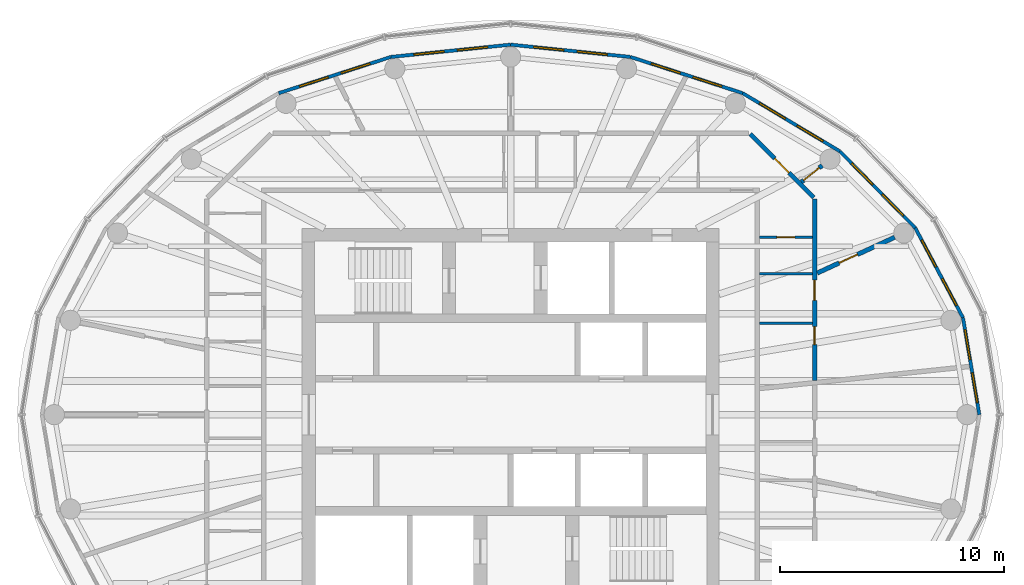
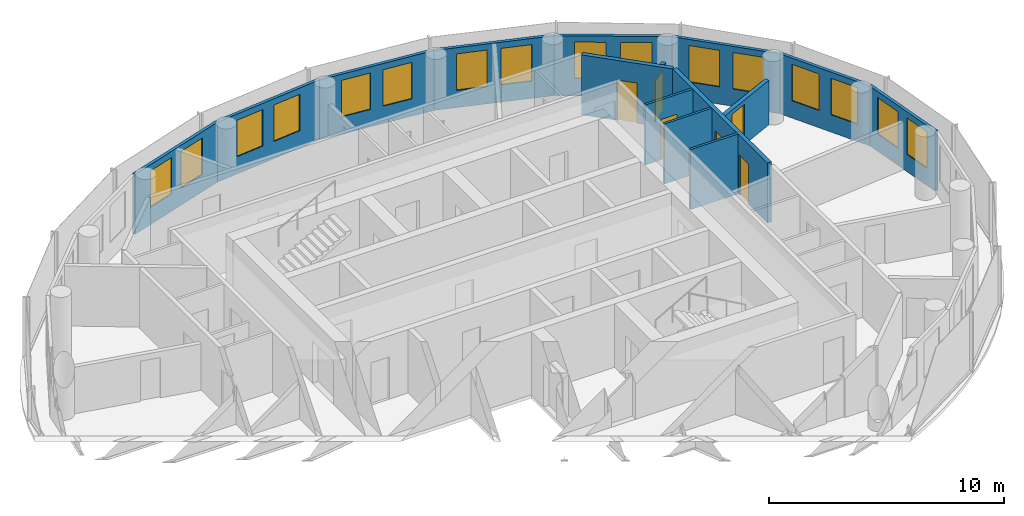
# One storey, part 9 of 11: 16 windows, 15 walls, 6 doors, 22 openings.
"""IFC4 building model written with IfcOpenShell, lengths in metres."""

import ifcopenshell
import ifcopenshell.guid

model = None  # the IFC model being written
_history = None  # IfcOwnerHistory: only IFC2X3 demands one
_inside = {}  # id of a spatial element -> (the spatial element, [elements in it])
_under = {}  # id of a project, library or spatial element -> (it, [spatial elements below it])
_declared = {}  # id of a project -> (the project, [libraries it declares])
_typed = {}  # id of a type object -> (the type object, [elements of that type])
_made_of = {}  # id of a material, layer set ... -> (it, [elements and type objects made of it])


def new_model(schema):
    """Start an empty IFC model of exactly this schema.

    Asked for "IFC4X3", IfcOpenShell would pick the latest addendum, in which some entities
    have other attributes; the version numbers below select the first issue.
    IFC2X3 requires an IfcOwnerHistory on every rooted entity: one is made here for all.
    """
    global model, _history
    if schema == "IFC4X3":
        model = ifcopenshell.file(schema_version=(4, 3, 0, 0))
    else:
        model = ifcopenshell.file(schema=schema)
    _inside.clear()
    _under.clear()
    _declared.clear()
    _typed.clear()
    _made_of.clear()
    _history = None
    if model.schema == "IFC2X3":
        org = make("IfcOrganization", Name="unknown")
        user = make(
            "IfcPersonAndOrganization",
            ThePerson=make("IfcPerson", FamilyName="unknown"),
            TheOrganization=org,
        )
        app = make(
            "IfcApplication",
            ApplicationDeveloper=org,
            Version="unknown",
            ApplicationFullName="unknown",
            ApplicationIdentifier="unknown",
        )
        _history = make(
            "IfcOwnerHistory",
            OwningUser=user,
            OwningApplication=app,
            ChangeAction="ADDED",
            CreationDate=0,
        )
    return model


def make(cls, **values):
    """One entity of the class cls with the attributes given. An attribute that is None is left unset."""
    return model.create_entity(
        cls, **{name: value for name, value in values.items() if value is not None}
    )


def rooted(cls, **values):
    """An entity with a GlobalId (a new one), such as an element, a storey or a relation."""
    return make(cls, GlobalId=ifcopenshell.guid.new(), OwnerHistory=_history, **values)


def si_unit(unit_type, name, prefix=None):
    """IfcSIUnit, for example si_unit("LENGTHUNIT", "METRE", prefix="MILLI")."""
    return make("IfcSIUnit", UnitType=unit_type, Prefix=prefix, Name=name)


def assignment(units):
    """IfcUnitAssignment: the units of a project."""
    return None if units is None else make("IfcUnitAssignment", Units=units)


def point(xyz):
    """IfcCartesianPoint."""
    return None if xyz is None else make("IfcCartesianPoint", Coordinates=xyz)


def direction(xyz):
    """IfcDirection."""
    return None if xyz is None else make("IfcDirection", DirectionRatios=xyz)


def frame(location, z_axis=None, x_axis=None):
    """IfcAxis2Placement3D, a coordinate frame: its origin and axes. An axis left out is left unset."""
    return make(
        "IfcAxis2Placement3D",
        Location=point(location),
        Axis=direction(z_axis),
        RefDirection=direction(x_axis),
    )


def frame_2d(location, x_axis=None):
    """IfcAxis2Placement2D, a coordinate frame in the plane: its origin and x axis."""
    return make(
        "IfcAxis2Placement2D", Location=point(location), RefDirection=direction(x_axis)
    )


def origin():
    """The frame at (0, 0, 0) with its axes left unset."""
    return frame((0.0, 0.0, 0.0))


def place(relative_to, where):
    """IfcLocalPlacement: puts the frame where relative to a parent placement (None: the world)."""
    return make(
        "IfcLocalPlacement", PlacementRelTo=relative_to, RelativePlacement=where
    )


def context(
    kind, dimensions, precision=None, world=None, true_north=None, identifier=None
):
    """IfcGeometricRepresentationContext, for example the 3D "Model" context."""
    return make(
        "IfcGeometricRepresentationContext",
        ContextIdentifier=identifier,
        ContextType=kind,
        CoordinateSpaceDimension=dimensions,
        Precision=precision,
        WorldCoordinateSystem=world,
        TrueNorth=true_north,
    )


def subcontext(parent, identifier, kind, view, scale=None):
    """IfcGeometricRepresentationSubContext, for example "Body" below "Model"."""
    return make(
        "IfcGeometricRepresentationSubContext",
        ContextIdentifier=identifier,
        ContextType=kind,
        ParentContext=parent,
        TargetScale=scale,
        TargetView=view,
    )


def project(units=None, contexts=None):
    """IfcProject with its units and contexts."""
    return rooted(
        "IfcProject",
        Name="project",
        RepresentationContexts=contexts,
        UnitsInContext=assignment(units),
    )


def spatial(cls, under=None, at=None, **own):
    """A site, building, storey or space (cls), placed at a placement, below another one or the project."""
    s = rooted(cls, ObjectPlacement=at, **own)
    if under is not None:
        _under.setdefault(under.id(), (under, []))[1].append(s)
    return s


def profile(cls, at=None, kind="AREA", **sizes):
    """A parametric profile (cls). Its sizes go by their IFC names, for example OverallWidth=200.0."""
    return make(cls, ProfileType=kind, Position=at, **sizes)


def rectangle(**sizes):
    """IfcRectangleProfileDef."""
    return profile("IfcRectangleProfileDef", **sizes)


def extrude(swept, where, along, depth):
    """IfcExtrudedAreaSolid: the profile swept, set in the frame where, extruded along a direction by depth."""
    return make(
        "IfcExtrudedAreaSolid",
        SweptArea=swept,
        Position=where,
        ExtrudedDirection=direction(along),
        Depth=depth,
    )


def shape(context_of_items, identifier, shape_type, items):
    """IfcShapeRepresentation: the items that make up one representation, for example the "Body"."""
    return make(
        "IfcShapeRepresentation",
        ContextOfItems=context_of_items,
        RepresentationIdentifier=identifier,
        RepresentationType=shape_type,
        Items=items,
    )


def material(Name=None, Category=None):
    """IfcMaterial."""
    return make("IfcMaterial", Name=Name, Category=Category)


def layer(
    of_material, thickness, ventilated=None, Name=None, Category=None, Priority=None
):
    """IfcMaterialLayer: one layer of a wall or slab, of a material (None: an air gap)."""
    return make(
        "IfcMaterialLayer",
        Material=of_material,
        LayerThickness=thickness,
        IsVentilated=ventilated,
        Name=Name,
        Category=Category,
        Priority=Priority,
    )


def layer_set(layers, Name=None):
    """IfcMaterialLayerSet."""
    return make("IfcMaterialLayerSet", MaterialLayers=layers, LayerSetName=Name)


def made_of(thing, what):
    """Note that an element or type object is made of a material, layer set ...; save() writes the relation."""
    if what is not None:
        _made_of.setdefault(what.id(), (what, []))[1].append(thing)
    return thing


def type_object(cls, material=None, **own):
    """A type object (cls), such as IfcWallType, which elements share."""
    return made_of(rooted(cls, **own), material)


def element(
    cls,
    number,
    at=None,
    inside=None,
    cuts=None,
    type_object=None,
    material=None,
    context=None,
    identifier="Body",
    shape_type=None,
    held_by="IfcProductDefinitionShape",
    body=None,
    shapes=None,
    **own,
):
    """One element of the class cls, such as IfcWall. Its Tag is "e" and its number.

    at: its placement. inside: the storey or other place that contains it. cuts: it is an
    opening in that element (IfcRelVoidsElement). A single representation is given by context,
    identifier, shape_type and body (its items); several are given by shapes. held_by: the class
    of the entity that holds the representations. save() writes the other relations.
    """
    e = rooted(cls, Tag="e%d" % number, ObjectPlacement=at, **own)
    if body is not None:
        shapes = [shape(context, identifier, shape_type, body)]
    if shapes is not None:
        e.Representation = make(held_by, Representations=shapes)
    if inside is not None:
        _inside.setdefault(inside.id(), (inside, []))[1].append(e)
    if cuts is not None:
        rooted(
            "IfcRelVoidsElement", RelatingBuildingElement=cuts, RelatedOpeningElement=e
        )
    if type_object is not None:
        _typed.setdefault(type_object.id(), (type_object, []))[1].append(e)
    return made_of(e, material)


def fill(opening, filler):
    """IfcRelFillsElement: the door or window that sits in an opening."""
    return rooted(
        "IfcRelFillsElement",
        RelatingOpeningElement=opening,
        RelatedBuildingElement=filler,
    )


def aggregate(whole, parts):
    """IfcRelAggregates: a whole, such as a stair, and the parts it consists of."""
    return rooted("IfcRelAggregates", RelatingObject=whole, RelatedObjects=parts)


def save(model, path):
    """Write the relations noted so far, then the file.

    IfcRelAggregates (storeys below a building ...), IfcRelContainedInSpatialStructure (elements
    in a storey), IfcRelDefinesByType, IfcRelAssociatesMaterial and IfcRelDeclares: one each for
    every whole, place, type object, material and project.
    """
    for whole, parts in _under.values():
        aggregate(whole, parts)
    for where, things in _inside.values():
        rooted(
            "IfcRelContainedInSpatialStructure",
            RelatedElements=things,
            RelatingStructure=where,
        )
    for kind, things in _typed.values():
        rooted("IfcRelDefinesByType", RelatedObjects=things, RelatingType=kind)
    for what, things in _made_of.values():
        rooted("IfcRelAssociatesMaterial", RelatedObjects=things, RelatingMaterial=what)
    for by, libraries in _declared.values():
        rooted("IfcRelDeclares", RelatingContext=by, RelatedDefinitions=libraries)
    model.write(path)


model = new_model("IFC4")

# Units and contexts
model_context = context("Model", 3, precision=1e-05, world=origin(), true_north=direction((0.0, 1.0)))
body_context = subcontext(model_context, "Body", "Model", "MODEL_VIEW")
ifc_project = project(units=[si_unit("LENGTHUNIT", "METRE"), si_unit("AREAUNIT", "SQUARE_METRE"), si_unit("VOLUMEUNIT", "CUBIC_METRE"), si_unit("PLANEANGLEUNIT", "RADIAN"), si_unit("MASSUNIT", "GRAM", prefix="KILO")], contexts=[model_context])

# Site, building, storey
site_placement = place(None, origin())
site = spatial("IfcSite", under=ifc_project, at=site_placement, CompositionType="ELEMENT")
building_placement = place(site_placement, origin())
building = spatial("IfcBuilding", under=site, at=building_placement, Name="Hankou Lantern Tower", CompositionType="ELEMENT")
storey_placement = place(building_placement, frame((0.0, 0.0, 212.699951171875)))
storey = spatial("IfcBuildingStorey", under=building, at=storey_placement, Name="L57", CompositionType="ELEMENT", Elevation=212.699951171875)

# Wall, openings, windows
ifc_material_1 = material(Name="Aluminium spandrel panel on steel studs", Category="steel")
ifc_layer_1 = layer(ifc_material_1, 0.14990234375)
ifc_layer_set_1 = layer_set([ifc_layer_1], Name="Aluminium spandrel panel on steel studs")
wall_type_1 = type_object("IfcWallType", Name="EW1 INNER SKIN WALL 150", PredefinedType="ELEMENTEDWALL", material=ifc_layer_set_1)
wall_1_placement = place(storey_placement, frame((20.89990234375, 0.0, 0.0), z_axis=(0.0, 0.0, 1.0), x_axis=(-0.166538513568, 0.986034950445, 0.0)))
wall_1 = element("IfcWall", 1, at=wall_1_placement, inside=storey, type_object=wall_type_1, Name="Inner skin R01-R02 L57", PredefinedType="ELEMENTEDWALL", context=body_context, shape_type="SweptSolid", body=[
    extrude(rectangle(XDim=4.384765625, YDim=0.14990234375, at=frame_2d((2.1923828125, 0.0))), origin(), (0.0, 0.0, 1.0), 3.1201171875),
])
opening_1_placement = place(wall_1_placement, frame((0.54248046875, 0.0, 0.89990234375)))
opening_1 = element("IfcOpeningElement", 2, at=opening_1_placement, cuts=wall_1, Name="Opening W4", PredefinedType="OPENING", context=body_context, shape_type="SweptSolid", body=[
    extrude(rectangle(XDim=1.35009765625, YDim=1.89990234375, at=frame_2d((0.675048828125, 0.949951171875))), frame((0.0, 0.0849609375, 0.0), z_axis=(0.0, -1.0, 0.0), x_axis=(1.0, 0.0, 0.0)), (0.0, 0.0, 1.0), 0.169921875),
])
opening_2_placement = place(wall_1_placement, frame((2.492431640625, 0.0, 0.89990234375)))
opening_2 = element("IfcOpeningElement", 3, at=opening_2_placement, cuts=wall_1, Name="Opening W4", PredefinedType="OPENING", context=body_context, shape_type="SweptSolid", body=[
    extrude(rectangle(XDim=1.35009765625, YDim=1.89990234375, at=frame_2d((0.675048828125, 0.949951171875))), frame((0.0, 0.0849609375, 0.0), z_axis=(0.0, -1.0, 0.0), x_axis=(1.0, 0.0, 0.0)), (0.0, 0.0, 1.0), 0.169921875),
])
ifc_material_2 = material(Name="Aluminium framed double glazed window", Category="aluminium")
window_type = type_object("IfcWindowType", Name="W4 SUITE WINDOW 1350X1900", PartitioningType="DOUBLE_PANEL_VERTICAL", PredefinedType="WINDOW", material=ifc_material_2)
window_1_placement = place(opening_1_placement, origin())
window_1 = element("IfcWindow", 4, at=window_1_placement, inside=storey, type_object=window_type, Name="Window R01.1 L57", OverallHeight=1.89990234375, OverallWidth=1.35009765625, PartitioningType="SINGLE_PANEL", PredefinedType="WINDOW", context=body_context, shape_type="SweptSolid", body=[
    extrude(rectangle(XDim=1.35009765625, YDim=1.89990234375, at=frame_2d((0.675048828125, 0.949951171875))), frame((0.0, 0.030029296875, 0.0), z_axis=(0.0, -1.0, 0.0), x_axis=(1.0, 0.0, 0.0)), (0.0, 0.0, 1.0), 0.06005859375),
])
fill(opening_1, window_1)
window_2_placement = place(opening_2_placement, origin())
window_2 = element("IfcWindow", 5, at=window_2_placement, inside=storey, type_object=window_type, Name="Window R01.2 L57", OverallHeight=1.89990234375, OverallWidth=1.35009765625, PartitioningType="SINGLE_PANEL", PredefinedType="WINDOW", context=body_context, shape_type="SweptSolid", body=[
    extrude(rectangle(XDim=1.35009765625, YDim=1.89990234375, at=frame_2d((0.675048828125, 0.949951171875))), frame((0.0, 0.030029296875, 0.0), z_axis=(0.0, -1.0, 0.0), x_axis=(1.0, 0.0, 0.0)), (0.0, 0.0, 1.0), 0.06005859375),
])
fill(opening_2, window_2)

wall_2_placement = place(storey_placement, frame((20.169677734375, 4.323486328125, 0.0), z_axis=(0.0, 0.0, 1.0), x_axis=(-0.469256152955, 0.883062094597, 0.0)))
wall_2 = element("IfcWall", 6, at=wall_2_placement, inside=storey, type_object=wall_type_1, Name="Inner skin R02-R03 L57", PredefinedType="ELEMENTEDWALL", context=body_context, shape_type="SweptSolid", body=[
    extrude(rectangle(XDim=4.539306640625, YDim=0.14990234375, at=frame_2d((2.26953125, 0.0))), origin(), (0.0, 0.0, 1.0), 3.1201171875),
])
opening_3_placement = place(wall_2_placement, frame((0.61962890625, 0.0, 0.89990234375)))
opening_3 = element("IfcOpeningElement", 7, at=opening_3_placement, cuts=wall_2, Name="Opening W4", PredefinedType="OPENING", context=body_context, shape_type="SweptSolid", body=[
    extrude(rectangle(XDim=1.35009765625, YDim=1.89990234375, at=frame_2d((0.675048828125, 0.949951171875))), frame((0.0, 0.0849609375, 0.0), z_axis=(0.0, -1.0, 0.0), x_axis=(1.0, 0.0, 0.0)), (0.0, 0.0, 1.0), 0.169921875),
])
opening_4_placement = place(wall_2_placement, frame((2.569580078125, 0.0, 0.89990234375)))
opening_4 = element("IfcOpeningElement", 8, at=opening_4_placement, cuts=wall_2, Name="Opening W4", PredefinedType="OPENING", context=body_context, shape_type="SweptSolid", body=[
    extrude(rectangle(XDim=1.35009765625, YDim=1.89990234375, at=frame_2d((0.675048828125, 0.949951171875))), frame((0.0, 0.0849609375, 0.0), z_axis=(0.0, -1.0, 0.0), x_axis=(1.0, 0.0, 0.0)), (0.0, 0.0, 1.0), 0.169921875),
])
window_3_placement = place(opening_3_placement, origin())
window_3 = element("IfcWindow", 9, at=window_3_placement, inside=storey, type_object=window_type, Name="Window R02.1 L57", OverallHeight=1.89990234375, OverallWidth=1.35009765625, PartitioningType="SINGLE_PANEL", PredefinedType="WINDOW", context=body_context, shape_type="SweptSolid", body=[
    extrude(rectangle(XDim=1.35009765625, YDim=1.89990234375, at=frame_2d((0.675048828125, 0.949951171875))), frame((0.0, 0.030029296875, 0.0), z_axis=(0.0, -1.0, 0.0), x_axis=(1.0, 0.0, 0.0)), (0.0, 0.0, 1.0), 0.06005859375),
])
fill(opening_3, window_3)
window_4_placement = place(opening_4_placement, origin())
window_4 = element("IfcWindow", 10, at=window_4_placement, inside=storey, type_object=window_type, Name="Window R02.2 L57", OverallHeight=1.89990234375, OverallWidth=1.35009765625, PartitioningType="SINGLE_PANEL", PredefinedType="WINDOW", context=body_context, shape_type="SweptSolid", body=[
    extrude(rectangle(XDim=1.35009765625, YDim=1.89990234375, at=frame_2d((0.675048828125, 0.949951171875))), frame((0.0, 0.030029296875, 0.0), z_axis=(0.0, -1.0, 0.0), x_axis=(1.0, 0.0, 0.0)), (0.0, 0.0, 1.0), 0.06005859375),
])
fill(opening_4, window_4)

wall_3_placement = place(storey_placement, frame((18.03955078125, 8.33203125, 0.0), z_axis=(0.0, 0.0, 1.0), x_axis=(-0.701527379618, 0.712642501993, 0.0)))
wall_3 = element("IfcWall", 11, at=wall_3_placement, inside=storey, type_object=wall_type_1, Name="Inner skin R03-R04 L57", PredefinedType="ELEMENTEDWALL", context=body_context, shape_type="SweptSolid", body=[
    extrude(rectangle(XDim=4.788330078125, YDim=0.14990234375, at=frame_2d((2.39404296875, 0.0))), origin(), (0.0, 0.0, 1.0), 3.1201171875),
])
opening_5_placement = place(wall_3_placement, frame((0.744140625, 0.0, 0.89990234375)))
opening_5 = element("IfcOpeningElement", 12, at=opening_5_placement, cuts=wall_3, Name="Opening W4", PredefinedType="OPENING", context=body_context, shape_type="SweptSolid", body=[
    extrude(rectangle(XDim=1.35009765625, YDim=1.89990234375, at=frame_2d((0.675048828125, 0.949951171875))), frame((0.0, 0.0849609375, 0.0), z_axis=(0.0, -1.0, 0.0), x_axis=(1.0, 0.0, 0.0)), (0.0, 0.0, 1.0), 0.169921875),
])
opening_6_placement = place(wall_3_placement, frame((2.694091796875, 0.0, 0.89990234375)))
opening_6 = element("IfcOpeningElement", 13, at=opening_6_placement, cuts=wall_3, Name="Opening W4", PredefinedType="OPENING", context=body_context, shape_type="SweptSolid", body=[
    extrude(rectangle(XDim=1.35009765625, YDim=1.89990234375, at=frame_2d((0.675048828125, 0.949951171875))), frame((0.0, 0.0849609375, 0.0), z_axis=(0.0, -1.0, 0.0), x_axis=(1.0, 0.0, 0.0)), (0.0, 0.0, 1.0), 0.169921875),
])
window_5_placement = place(opening_5_placement, origin())
window_5 = element("IfcWindow", 14, at=window_5_placement, inside=storey, type_object=window_type, Name="Window R03.1 L57", OverallHeight=1.89990234375, OverallWidth=1.35009765625, PartitioningType="SINGLE_PANEL", PredefinedType="WINDOW", context=body_context, shape_type="SweptSolid", body=[
    extrude(rectangle(XDim=1.35009765625, YDim=1.89990234375, at=frame_2d((0.675048828125, 0.949951171875))), frame((0.0, 0.030029296875, 0.0), z_axis=(0.0, -1.0, 0.0), x_axis=(1.0, 0.0, 0.0)), (0.0, 0.0, 1.0), 0.06005859375),
])
fill(opening_5, window_5)
window_6_placement = place(opening_6_placement, origin())
window_6 = element("IfcWindow", 15, at=window_6_placement, inside=storey, type_object=window_type, Name="Window R03.2 L57", OverallHeight=1.89990234375, OverallWidth=1.35009765625, PartitioningType="SINGLE_PANEL", PredefinedType="WINDOW", context=body_context, shape_type="SweptSolid", body=[
    extrude(rectangle(XDim=1.35009765625, YDim=1.89990234375, at=frame_2d((0.675048828125, 0.949951171875))), frame((0.0, 0.030029296875, 0.0), z_axis=(0.0, -1.0, 0.0), x_axis=(1.0, 0.0, 0.0)), (0.0, 0.0, 1.0), 0.06005859375),
])
fill(opening_6, window_6)

wall_4_placement = place(storey_placement, frame((14.680419921875, 11.744384765625, 0.0), z_axis=(0.0, 0.0, 1.0), x_axis=(-0.85822150553, 0.513279502265, 0.0)))
wall_4 = element("IfcWall", 16, at=wall_4_placement, inside=storey, type_object=wall_type_1, Name="Inner skin R04-R05 L57", PredefinedType="ELEMENTEDWALL", context=body_context, shape_type="SweptSolid", body=[
    extrude(rectangle(XDim=5.050048828125, YDim=0.14990234375, at=frame_2d((2.52490234375, 0.0))), origin(), (0.0, 0.0, 1.0), 3.1201171875),
])
opening_7_placement = place(wall_4_placement, frame((0.875, 0.0, 0.89990234375)))
opening_7 = element("IfcOpeningElement", 17, at=opening_7_placement, cuts=wall_4, Name="Opening W4", PredefinedType="OPENING", context=body_context, shape_type="SweptSolid", body=[
    extrude(rectangle(XDim=1.35009765625, YDim=1.89990234375, at=frame_2d((0.675048828125, 0.949951171875))), frame((0.0, 0.0849609375, 0.0), z_axis=(0.0, -1.0, 0.0), x_axis=(1.0, 0.0, 0.0)), (0.0, 0.0, 1.0), 0.169921875),
])
opening_8_placement = place(wall_4_placement, frame((2.824951171875, 0.0, 0.89990234375)))
opening_8 = element("IfcOpeningElement", 18, at=opening_8_placement, cuts=wall_4, Name="Opening W4", PredefinedType="OPENING", context=body_context, shape_type="SweptSolid", body=[
    extrude(rectangle(XDim=1.35009765625, YDim=1.89990234375, at=frame_2d((0.675048828125, 0.949951171875))), frame((0.0, 0.0849609375, 0.0), z_axis=(0.0, -1.0, 0.0), x_axis=(1.0, 0.0, 0.0)), (0.0, 0.0, 1.0), 0.169921875),
])
window_7_placement = place(opening_7_placement, origin())
window_7 = element("IfcWindow", 19, at=window_7_placement, inside=storey, type_object=window_type, Name="Window R04.1 L57", OverallHeight=1.89990234375, OverallWidth=1.35009765625, PartitioningType="SINGLE_PANEL", PredefinedType="WINDOW", context=body_context, shape_type="SweptSolid", body=[
    extrude(rectangle(XDim=1.35009765625, YDim=1.89990234375, at=frame_2d((0.675048828125, 0.949951171875))), frame((0.0, 0.030029296875, 0.0), z_axis=(0.0, -1.0, 0.0), x_axis=(1.0, 0.0, 0.0)), (0.0, 0.0, 1.0), 0.06005859375),
])
fill(opening_7, window_7)
window_8_placement = place(opening_8_placement, origin())
window_8 = element("IfcWindow", 20, at=window_8_placement, inside=storey, type_object=window_type, Name="Window R04.2 L57", OverallHeight=1.89990234375, OverallWidth=1.35009765625, PartitioningType="SINGLE_PANEL", PredefinedType="WINDOW", context=body_context, shape_type="SweptSolid", body=[
    extrude(rectangle(XDim=1.35009765625, YDim=1.89990234375, at=frame_2d((0.675048828125, 0.949951171875))), frame((0.0, 0.030029296875, 0.0), z_axis=(0.0, -1.0, 0.0), x_axis=(1.0, 0.0, 0.0)), (0.0, 0.0, 1.0), 0.06005859375),
])
fill(opening_8, window_8)

wall_5_placement = place(storey_placement, frame((10.346435546875, 14.33642578125, 0.0), z_axis=(0.0, 0.0, 1.0), x_axis=(-0.951644702515, 0.307200846638, 0.0)))
wall_5 = element("IfcWall", 21, at=wall_5_placement, inside=storey, type_object=wall_type_1, Name="Inner skin R05-R06 L57", PredefinedType="ELEMENTEDWALL", context=body_context, shape_type="SweptSolid", body=[
    extrude(rectangle(XDim=5.2578125, YDim=0.14990234375, at=frame_2d((2.62890625, 0.0))), origin(), (0.0, 0.0, 1.0), 3.1201171875),
])
opening_9_placement = place(wall_5_placement, frame((0.97900390625, 0.0, 0.89990234375)))
opening_9 = element("IfcOpeningElement", 22, at=opening_9_placement, cuts=wall_5, Name="Opening W4", PredefinedType="OPENING", context=body_context, shape_type="SweptSolid", body=[
    extrude(rectangle(XDim=1.35009765625, YDim=1.89990234375, at=frame_2d((0.675048828125, 0.949951171875))), frame((0.0, 0.0849609375, 0.0), z_axis=(0.0, -1.0, 0.0), x_axis=(1.0, 0.0, 0.0)), (0.0, 0.0, 1.0), 0.169921875),
])
opening_10_placement = place(wall_5_placement, frame((2.928955078125, 0.0, 0.89990234375)))
opening_10 = element("IfcOpeningElement", 23, at=opening_10_placement, cuts=wall_5, Name="Opening W4", PredefinedType="OPENING", context=body_context, shape_type="SweptSolid", body=[
    extrude(rectangle(XDim=1.35009765625, YDim=1.89990234375, at=frame_2d((0.675048828125, 0.949951171875))), frame((0.0, 0.0849609375, 0.0), z_axis=(0.0, -1.0, 0.0), x_axis=(1.0, 0.0, 0.0)), (0.0, 0.0, 1.0), 0.169921875),
])
window_9_placement = place(opening_9_placement, origin())
window_9 = element("IfcWindow", 24, at=window_9_placement, inside=storey, type_object=window_type, Name="Window R05.1 L57", OverallHeight=1.89990234375, OverallWidth=1.35009765625, PartitioningType="SINGLE_PANEL", PredefinedType="WINDOW", context=body_context, shape_type="SweptSolid", body=[
    extrude(rectangle(XDim=1.35009765625, YDim=1.89990234375, at=frame_2d((0.675048828125, 0.949951171875))), frame((0.0, 0.030029296875, 0.0), z_axis=(0.0, -1.0, 0.0), x_axis=(1.0, 0.0, 0.0)), (0.0, 0.0, 1.0), 0.06005859375),
])
fill(opening_9, window_9)
window_10_placement = place(opening_10_placement, origin())
window_10 = element("IfcWindow", 25, at=window_10_placement, inside=storey, type_object=window_type, Name="Window R05.2 L57", OverallHeight=1.89990234375, OverallWidth=1.35009765625, PartitioningType="SINGLE_PANEL", PredefinedType="WINDOW", context=body_context, shape_type="SweptSolid", body=[
    extrude(rectangle(XDim=1.35009765625, YDim=1.89990234375, at=frame_2d((0.675048828125, 0.949951171875))), frame((0.0, 0.030029296875, 0.0), z_axis=(0.0, -1.0, 0.0), x_axis=(1.0, 0.0, 0.0)), (0.0, 0.0, 1.0), 0.06005859375),
])
fill(opening_10, window_10)

wall_6_placement = place(storey_placement, frame((5.3427734375, 15.95166015625, 0.0), z_axis=(0.0, 0.0, 1.0), x_axis=(-0.994774574972, 0.102095763818, 0.0)))
wall_6 = element("IfcWall", 26, at=wall_6_placement, inside=storey, type_object=wall_type_1, Name="Inner skin R06-R07 L57", PredefinedType="ELEMENTEDWALL", context=body_context, shape_type="SweptSolid", body=[
    extrude(rectangle(XDim=5.370849609375, YDim=0.14990234375, at=frame_2d((2.685546875, 0.0))), origin(), (0.0, 0.0, 1.0), 3.1201171875),
])
opening_11_placement = place(wall_6_placement, frame((1.035400390625, 0.0, 0.89990234375)))
opening_11 = element("IfcOpeningElement", 27, at=opening_11_placement, cuts=wall_6, Name="Opening W4", PredefinedType="OPENING", context=body_context, shape_type="SweptSolid", body=[
    extrude(rectangle(XDim=1.35009765625, YDim=1.89990234375, at=frame_2d((0.675048828125, 0.949951171875))), frame((0.0, 0.0849609375, 0.0), z_axis=(0.0, -1.0, 0.0), x_axis=(1.0, 0.0, 0.0)), (0.0, 0.0, 1.0), 0.169921875),
])
opening_12_placement = place(wall_6_placement, frame((2.9853515625, 0.0, 0.89990234375)))
opening_12 = element("IfcOpeningElement", 28, at=opening_12_placement, cuts=wall_6, Name="Opening W4", PredefinedType="OPENING", context=body_context, shape_type="SweptSolid", body=[
    extrude(rectangle(XDim=1.35009765625, YDim=1.89990234375, at=frame_2d((0.675048828125, 0.949951171875))), frame((0.0, 0.0849609375, 0.0), z_axis=(0.0, -1.0, 0.0), x_axis=(1.0, 0.0, 0.0)), (0.0, 0.0, 1.0), 0.169921875),
])
window_11_placement = place(opening_11_placement, origin())
window_11 = element("IfcWindow", 29, at=window_11_placement, inside=storey, type_object=window_type, Name="Window R06.1 L57", OverallHeight=1.89990234375, OverallWidth=1.35009765625, PartitioningType="SINGLE_PANEL", PredefinedType="WINDOW", context=body_context, shape_type="SweptSolid", body=[
    extrude(rectangle(XDim=1.35009765625, YDim=1.89990234375, at=frame_2d((0.675048828125, 0.949951171875))), frame((0.0, 0.030029296875, 0.0), z_axis=(0.0, -1.0, 0.0), x_axis=(1.0, 0.0, 0.0)), (0.0, 0.0, 1.0), 0.06005859375),
])
fill(opening_11, window_11)
window_12_placement = place(opening_12_placement, origin())
window_12 = element("IfcWindow", 30, at=window_12_placement, inside=storey, type_object=window_type, Name="Window R06.2 L57", OverallHeight=1.89990234375, OverallWidth=1.35009765625, PartitioningType="SINGLE_PANEL", PredefinedType="WINDOW", context=body_context, shape_type="SweptSolid", body=[
    extrude(rectangle(XDim=1.35009765625, YDim=1.89990234375, at=frame_2d((0.675048828125, 0.949951171875))), frame((0.0, 0.030029296875, 0.0), z_axis=(0.0, -1.0, 0.0), x_axis=(1.0, 0.0, 0.0)), (0.0, 0.0, 1.0), 0.06005859375),
])
fill(opening_12, window_12)

wall_7_placement = place(storey_placement, frame((0.0, 16.5, 0.0), z_axis=(0.0, 0.0, 1.0), x_axis=(-0.994774574972, -0.102095763818, 0.0)))
wall_7 = element("IfcWall", 31, at=wall_7_placement, inside=storey, type_object=wall_type_1, Name="Inner skin R07-R08 L57", PredefinedType="ELEMENTEDWALL", context=body_context, shape_type="SweptSolid", body=[
    extrude(rectangle(XDim=5.370849609375, YDim=0.14990234375, at=frame_2d((2.685546875, 0.0))), origin(), (0.0, 0.0, 1.0), 3.1201171875),
])
opening_13_placement = place(wall_7_placement, frame((1.035400390625, 0.0, 0.89990234375)))
opening_13 = element("IfcOpeningElement", 32, at=opening_13_placement, cuts=wall_7, Name="Opening W4", PredefinedType="OPENING", context=body_context, shape_type="SweptSolid", body=[
    extrude(rectangle(XDim=1.35009765625, YDim=1.89990234375, at=frame_2d((0.675048828125, 0.949951171875))), frame((0.0, 0.0849609375, 0.0), z_axis=(0.0, -1.0, 0.0), x_axis=(1.0, 0.0, 0.0)), (0.0, 0.0, 1.0), 0.169921875),
])
opening_14_placement = place(wall_7_placement, frame((2.9853515625, 0.0, 0.89990234375)))
opening_14 = element("IfcOpeningElement", 33, at=opening_14_placement, cuts=wall_7, Name="Opening W4", PredefinedType="OPENING", context=body_context, shape_type="SweptSolid", body=[
    extrude(rectangle(XDim=1.35009765625, YDim=1.89990234375, at=frame_2d((0.675048828125, 0.949951171875))), frame((0.0, 0.0849609375, 0.0), z_axis=(0.0, -1.0, 0.0), x_axis=(1.0, 0.0, 0.0)), (0.0, 0.0, 1.0), 0.169921875),
])
window_13_placement = place(opening_13_placement, origin())
window_13 = element("IfcWindow", 34, at=window_13_placement, inside=storey, type_object=window_type, Name="Window R07.1 L57", OverallHeight=1.89990234375, OverallWidth=1.35009765625, PartitioningType="SINGLE_PANEL", PredefinedType="WINDOW", context=body_context, shape_type="SweptSolid", body=[
    extrude(rectangle(XDim=1.35009765625, YDim=1.89990234375, at=frame_2d((0.675048828125, 0.949951171875))), frame((0.0, 0.030029296875, 0.0), z_axis=(0.0, -1.0, 0.0), x_axis=(1.0, 0.0, 0.0)), (0.0, 0.0, 1.0), 0.06005859375),
])
fill(opening_13, window_13)
window_14_placement = place(opening_14_placement, origin())
window_14 = element("IfcWindow", 35, at=window_14_placement, inside=storey, type_object=window_type, Name="Window R07.2 L57", OverallHeight=1.89990234375, OverallWidth=1.35009765625, PartitioningType="SINGLE_PANEL", PredefinedType="WINDOW", context=body_context, shape_type="SweptSolid", body=[
    extrude(rectangle(XDim=1.35009765625, YDim=1.89990234375, at=frame_2d((0.675048828125, 0.949951171875))), frame((0.0, 0.030029296875, 0.0), z_axis=(0.0, -1.0, 0.0), x_axis=(1.0, 0.0, 0.0)), (0.0, 0.0, 1.0), 0.06005859375),
])
fill(opening_14, window_14)

wall_8_placement = place(storey_placement, frame((-5.3427734375, 15.95166015625, 0.0), z_axis=(0.0, 0.0, 1.0), x_axis=(-0.951644702515, -0.307200846638, 0.0)))
wall_8 = element("IfcWall", 36, at=wall_8_placement, inside=storey, type_object=wall_type_1, Name="Inner skin R08-R09 L57", PredefinedType="ELEMENTEDWALL", context=body_context, shape_type="SweptSolid", body=[
    extrude(rectangle(XDim=5.2578125, YDim=0.14990234375, at=frame_2d((2.62890625, 0.0))), origin(), (0.0, 0.0, 1.0), 3.1201171875),
])
opening_15_placement = place(wall_8_placement, frame((0.97900390625, 0.0, 0.89990234375)))
opening_15 = element("IfcOpeningElement", 37, at=opening_15_placement, cuts=wall_8, Name="Opening W4", PredefinedType="OPENING", context=body_context, shape_type="SweptSolid", body=[
    extrude(rectangle(XDim=1.35009765625, YDim=1.89990234375, at=frame_2d((0.675048828125, 0.949951171875))), frame((0.0, 0.0849609375, 0.0), z_axis=(0.0, -1.0, 0.0), x_axis=(1.0, 0.0, 0.0)), (0.0, 0.0, 1.0), 0.169921875),
])
opening_16_placement = place(wall_8_placement, frame((2.928955078125, 0.0, 0.89990234375)))
opening_16 = element("IfcOpeningElement", 38, at=opening_16_placement, cuts=wall_8, Name="Opening W4", PredefinedType="OPENING", context=body_context, shape_type="SweptSolid", body=[
    extrude(rectangle(XDim=1.35009765625, YDim=1.89990234375, at=frame_2d((0.675048828125, 0.949951171875))), frame((0.0, 0.0849609375, 0.0), z_axis=(0.0, -1.0, 0.0), x_axis=(1.0, 0.0, 0.0)), (0.0, 0.0, 1.0), 0.169921875),
])
window_15_placement = place(opening_15_placement, origin())
window_15 = element("IfcWindow", 39, at=window_15_placement, inside=storey, type_object=window_type, Name="Window R08.1 L57", OverallHeight=1.89990234375, OverallWidth=1.35009765625, PartitioningType="SINGLE_PANEL", PredefinedType="WINDOW", context=body_context, shape_type="SweptSolid", body=[
    extrude(rectangle(XDim=1.35009765625, YDim=1.89990234375, at=frame_2d((0.675048828125, 0.949951171875))), frame((0.0, 0.030029296875, 0.0), z_axis=(0.0, -1.0, 0.0), x_axis=(1.0, 0.0, 0.0)), (0.0, 0.0, 1.0), 0.06005859375),
])
fill(opening_15, window_15)
window_16_placement = place(opening_16_placement, origin())
window_16 = element("IfcWindow", 40, at=window_16_placement, inside=storey, type_object=window_type, Name="Window R08.2 L57", OverallHeight=1.89990234375, OverallWidth=1.35009765625, PartitioningType="SINGLE_PANEL", PredefinedType="WINDOW", context=body_context, shape_type="SweptSolid", body=[
    extrude(rectangle(XDim=1.35009765625, YDim=1.89990234375, at=frame_2d((0.675048828125, 0.949951171875))), frame((0.0, 0.030029296875, 0.0), z_axis=(0.0, -1.0, 0.0), x_axis=(1.0, 0.0, 0.0)), (0.0, 0.0, 1.0), 0.06005859375),
])
fill(opening_16, window_16)

# Walls
ifc_material_3 = material(Name="Masonry lightweight concrete block", Category="masonry")
ifc_layer_2 = layer(ifc_material_3, 0.1201171875)
ifc_layer_set_2 = layer_set([ifc_layer_2], Name="Masonry lightweight concrete block")
wall_type_2 = type_object("IfcWallType", Name="IW3 BATHROOM WALL 120", PredefinedType="PARTITIONING", material=ifc_layer_set_2)
for number, where, z_axis, x_axis, name in (
    (41, (11.10009765625, 4.08154296875, 0.0), (0.0, 0.0, 1.0), (1.0, 0.0, 0.0), "Box wall 5701 1"),
    (42, (11.10009765625, 6.290283203125, 0.0), (0.0, 0.0, 1.0), (1.0, 0.0, 0.0), "Box wall 5701 2"),
):
    element("IfcWall", number, at=place(storey_placement, frame(where, z_axis=z_axis, x_axis=x_axis)), inside=storey, type_object=wall_type_2, Name=name, PredefinedType="PARTITIONING", context=body_context, shape_type="SweptSolid", body=[
        extrude(rectangle(XDim=2.349853515625, YDim=0.1201171875, at=frame_2d((1.1748046875, 0.0))), origin(), (0.0, 0.0, 1.0), 3.1201171875),
    ])

# Wall, opening, door
wall_9_placement = place(storey_placement, frame((11.10009765625, 7.91748046875, 0.0), z_axis=(0.0, 0.0, 1.0), x_axis=(1.0, 0.0, 0.0)))
wall_9 = element("IfcWall", 43, at=wall_9_placement, inside=storey, type_object=wall_type_2, Name="Box wall 5701 3", PredefinedType="PARTITIONING", context=body_context, shape_type="SweptSolid", body=[
    extrude(rectangle(XDim=2.349853515625, YDim=0.1201171875, at=frame_2d((1.1748046875, 0.0))), origin(), (0.0, 0.0, 1.0), 3.1201171875),
])
opening_17_placement = place(wall_9_placement, frame((0.77001953125, 0.0, 0.0)))
opening_17 = element("IfcOpeningElement", 44, at=opening_17_placement, cuts=wall_9, Name="Opening D3", PredefinedType="OPENING", context=body_context, shape_type="SweptSolid", body=[
    extrude(rectangle(XDim=0.800048828125, YDim=2.10009765625, at=frame_2d((0.39990234375, 1.050048828125))), frame((0.0, 0.070068359375, 0.0), z_axis=(0.0, -1.0, 0.0), x_axis=(1.0, 0.0, 0.0)), (0.0, 0.0, 1.0), 0.14013671875),
])
ifc_material_4 = material(Name="Timber door leaf", Category="wood")
door_type_1 = type_object("IfcDoorType", Name="D3 BATHROOM DOOR 800X2100", OperationType="SINGLE_SWING_LEFT", PredefinedType="DOOR", material=ifc_material_4)
door_1_placement = place(opening_17_placement, origin())
door_1 = element("IfcDoor", 45, at=door_1_placement, inside=storey, type_object=door_type_1, Name="Corner suite 5701 guest WC door", OperationType="SINGLE_SWING_LEFT", OverallHeight=2.10009765625, OverallWidth=0.800048828125, PredefinedType="DOOR", context=body_context, shape_type="SweptSolid", body=[
    extrude(rectangle(XDim=0.800048828125, YDim=2.10009765625, at=frame_2d((0.39990234375, 1.050048828125))), frame((0.0, 0.02490234375, 0.0), z_axis=(0.0, -1.0, 0.0), x_axis=(1.0, 0.0, 0.0)), (0.0, 0.0, 1.0), 0.050048828125),
])
fill(opening_17, door_1)

# Wall, openings, doors
ifc_material_5 = material(Name="Masonry lightweight concrete block", Category="masonry")
ifc_layer_3 = layer(ifc_material_5, 0.199951171875)
ifc_layer_set_3 = layer_set([ifc_layer_3], Name="Masonry lightweight concrete block")
wall_type_3 = type_object("IfcWallType", Name="IW6 SUITE PARTITION 200", PredefinedType="PARTITIONING", material=ifc_layer_set_3)
wall_10_placement = place(storey_placement, frame((13.550048828125, 1.52490234375, 0.0), z_axis=(0.0, 0.0, 1.0), x_axis=(0.0, 1.0, 0.0)))
wall_10 = element("IfcWall", 46, at=wall_10_placement, inside=storey, type_object=wall_type_3, Name="Suite foyer wall 5701", PredefinedType="PARTITIONING", context=body_context, shape_type="SweptSolid", body=[
    extrude(rectangle(XDim=8.083740234375, YDim=0.199951171875, at=frame_2d((4.0419921875, 0.0))), origin(), (0.0, 0.0, 1.0), 3.1201171875),
])
opening_18_placement = place(wall_10_placement, frame((1.5966796875, 0.0, 0.0)))
opening_18 = element("IfcOpeningElement", 47, at=opening_18_placement, cuts=wall_10, Name="Opening D3", PredefinedType="OPENING", context=body_context, shape_type="SweptSolid", body=[
    extrude(rectangle(XDim=0.800048828125, YDim=2.10009765625, at=frame_2d((0.39990234375, 1.050048828125))), frame((0.0, 0.10986328125, 0.0), z_axis=(0.0, -1.0, 0.0), x_axis=(1.0, 0.0, 0.0)), (0.0, 0.0, 1.0), 0.219970703125),
])
opening_19_placement = place(wall_10_placement, frame((3.570068359375, 0.0, 0.0)))
opening_19 = element("IfcOpeningElement", 48, at=opening_19_placement, cuts=wall_10, Name="Opening D27", PredefinedType="OPENING", context=body_context, shape_type="SweptSolid", body=[
    extrude(rectangle(XDim=0.89990234375, YDim=2.10009765625, at=frame_2d((0.449951171875, 1.050048828125))), frame((0.0, 0.10986328125, 0.0), z_axis=(0.0, -1.0, 0.0), x_axis=(1.0, 0.0, 0.0)), (0.0, 0.0, 1.0), 0.219970703125),
])
ifc_material_6 = material(Name="Timber door leaf", Category="wood")
door_type_2 = type_object("IfcDoorType", Name="D27 INTERNAL DOOR 900X2100", OperationType="SINGLE_SWING_LEFT", PredefinedType="DOOR", material=ifc_material_6)
door_2_placement = place(opening_19_placement, origin())
door_2 = element("IfcDoor", 49, at=door_2_placement, inside=storey, type_object=door_type_2, Name="Corner suite 5701 walk-in wardrobe door", OperationType="SINGLE_SWING_RIGHT", OverallHeight=2.10009765625, OverallWidth=0.89990234375, PredefinedType="DOOR", context=body_context, shape_type="SweptSolid", body=[
    extrude(rectangle(XDim=0.89990234375, YDim=2.10009765625, at=frame_2d((0.449951171875, 1.050048828125))), frame((0.0, 0.02490234375, 0.0), z_axis=(0.0, -1.0, 0.0), x_axis=(1.0, 0.0, 0.0)), (0.0, 0.0, 1.0), 0.050048828125),
])
fill(opening_19, door_2)
door_3_placement = place(opening_18_placement, origin())
door_3 = element("IfcDoor", 50, at=door_3_placement, inside=storey, type_object=door_type_1, Name="Corner suite 5701 bathroom door", OperationType="SINGLE_SWING_RIGHT", OverallHeight=2.10009765625, OverallWidth=0.800048828125, PredefinedType="DOOR", context=body_context, shape_type="SweptSolid", body=[
    extrude(rectangle(XDim=0.800048828125, YDim=2.10009765625, at=frame_2d((0.39990234375, 1.050048828125))), frame((0.0, 0.02490234375, 0.0), z_axis=(0.0, -1.0, 0.0), x_axis=(1.0, 0.0, 0.0)), (0.0, 0.0, 1.0), 0.050048828125),
])
fill(opening_18, door_3)

# Wall, opening, door
wall_11_placement = place(storey_placement, frame((13.520751953125, 9.67919921875, 0.0), z_axis=(0.0, 0.0, 1.0), x_axis=(-0.707106781187, 0.707106781187, 0.0)))
wall_11 = element("IfcWall", 51, at=wall_11_placement, inside=storey, type_object=wall_type_3, Name="Suite foyer wall 5701", PredefinedType="PARTITIONING", context=body_context, shape_type="SweptSolid", body=[
    extrude(rectangle(XDim=4.0185546875, YDim=0.199951171875, at=frame_2d((2.00927734375, 0.0))), origin(), (0.0, 0.0, 1.0), 3.1201171875),
])
opening_20_placement = place(wall_11_placement, frame((1.570068359375, 0.0, 0.0)))
opening_20 = element("IfcOpeningElement", 52, at=opening_20_placement, cuts=wall_11, Name="Opening D27", PredefinedType="OPENING", context=body_context, shape_type="SweptSolid", body=[
    extrude(rectangle(XDim=0.89990234375, YDim=2.10009765625, at=frame_2d((0.449951171875, 1.050048828125))), frame((0.0, 0.10986328125, 0.0), z_axis=(0.0, -1.0, 0.0), x_axis=(1.0, 0.0, 0.0)), (0.0, 0.0, 1.0), 0.219970703125),
])
door_4_placement = place(opening_20_placement, origin())
door_4 = element("IfcDoor", 53, at=door_4_placement, inside=storey, type_object=door_type_2, Name="Corner suite 5701 living room door", OperationType="SINGLE_SWING_RIGHT", OverallHeight=2.10009765625, OverallWidth=0.89990234375, PredefinedType="DOOR", context=body_context, shape_type="SweptSolid", body=[
    extrude(rectangle(XDim=0.89990234375, YDim=2.10009765625, at=frame_2d((0.449951171875, 1.050048828125))), frame((0.0, 0.02490234375, 0.0), z_axis=(0.0, -1.0, 0.0), x_axis=(1.0, 0.0, 0.0)), (0.0, 0.0, 1.0), 0.050048828125),
])
fill(opening_20, door_4)

wall_12_placement = place(storey_placement, frame((13.67724609375, 6.317138671875, 0.0), z_axis=(0.0, 0.0, 1.0), x_axis=(0.907825704695, 0.419347695708, 0.0)))
wall_12 = element("IfcWall", 54, at=wall_12_placement, inside=storey, type_object=wall_type_3, Name="Suite partition R03", PredefinedType="PARTITIONING", context=body_context, shape_type="SweptSolid", body=[
    extrude(rectangle(XDim=3.79638671875, YDim=0.199951171875, at=frame_2d((1.898193359375, 0.0))), origin(), (0.0, 0.0, 1.0), 2.320068359375),
])
opening_21_placement = place(wall_12_placement, frame((1.070068359375, 0.0, 0.0)))
opening_21 = element("IfcOpeningElement", 55, at=opening_21_placement, cuts=wall_12, Name="Opening D27", PredefinedType="OPENING", context=body_context, shape_type="SweptSolid", body=[
    extrude(rectangle(XDim=0.89990234375, YDim=2.10009765625, at=frame_2d((0.449951171875, 1.050048828125))), frame((0.0, 0.10986328125, 0.0), z_axis=(0.0, -1.0, 0.0), x_axis=(1.0, 0.0, 0.0)), (0.0, 0.0, 1.0), 0.219970703125),
])
door_5_placement = place(opening_21_placement, origin())
door_5 = element("IfcDoor", 56, at=door_5_placement, inside=storey, type_object=door_type_2, Name="Corner suite 5701 dining room door", OperationType="SINGLE_SWING_LEFT", OverallHeight=2.10009765625, OverallWidth=0.89990234375, PredefinedType="DOOR", context=body_context, shape_type="SweptSolid", body=[
    extrude(rectangle(XDim=0.89990234375, YDim=2.10009765625, at=frame_2d((0.449951171875, 1.050048828125))), frame((0.0, 0.02490234375, 0.0), z_axis=(0.0, -1.0, 0.0), x_axis=(1.0, 0.0, 0.0)), (0.0, 0.0, 1.0), 0.050048828125),
])
fill(opening_21, door_5)

wall_13_placement = place(storey_placement, frame((12.967529296875, 10.3740234375, 0.0), z_axis=(0.0, 0.0, 1.0), x_axis=(0.780888968944, 0.624669847345, 0.0)))
wall_13 = element("IfcWall", 57, at=wall_13_placement, inside=storey, type_object=wall_type_3, Name="Suite partition R04", PredefinedType="PARTITIONING", context=body_context, shape_type="SweptSolid", body=[
    extrude(rectangle(XDim=1.181396484375, YDim=0.199951171875, at=frame_2d((0.5908203125, 0.0))), origin(), (0.0, 0.0, 1.0), 2.420166015625),
])
opening_22_placement = place(wall_13_placement, frame((0.1201171875, 0.0, 0.0)))
opening_22 = element("IfcOpeningElement", 58, at=opening_22_placement, cuts=wall_13, Name="Opening D27", PredefinedType="OPENING", context=body_context, shape_type="SweptSolid", body=[
    extrude(rectangle(XDim=0.89990234375, YDim=2.10009765625, at=frame_2d((0.449951171875, 1.050048828125))), frame((0.0, 0.10986328125, 0.0), z_axis=(0.0, -1.0, 0.0), x_axis=(1.0, 0.0, 0.0)), (0.0, 0.0, 1.0), 0.219970703125),
])
door_6_placement = place(opening_22_placement, origin())
door_6 = element("IfcDoor", 59, at=door_6_placement, inside=storey, type_object=door_type_2, Name="Corner suite 5701 dining room door", OperationType="SINGLE_SWING_LEFT", OverallHeight=2.10009765625, OverallWidth=0.89990234375, PredefinedType="DOOR", context=body_context, shape_type="SweptSolid", body=[
    extrude(rectangle(XDim=0.89990234375, YDim=2.10009765625, at=frame_2d((0.449951171875, 1.050048828125))), frame((0.0, 0.02490234375, 0.0), z_axis=(0.0, -1.0, 0.0), x_axis=(1.0, 0.0, 0.0)), (0.0, 0.0, 1.0), 0.050048828125),
])
fill(opening_22, door_6)

save(model, "model.ifc")
